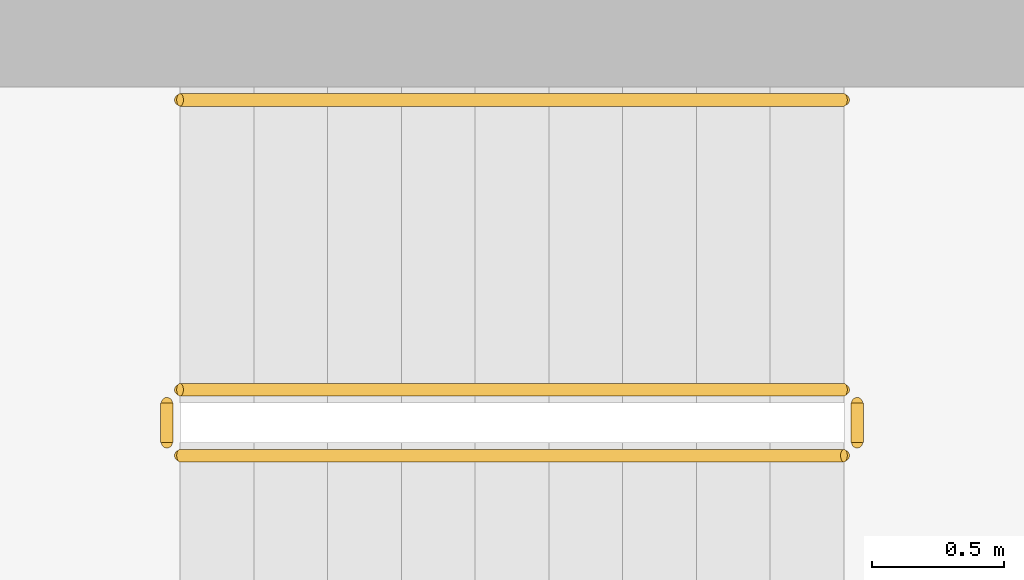
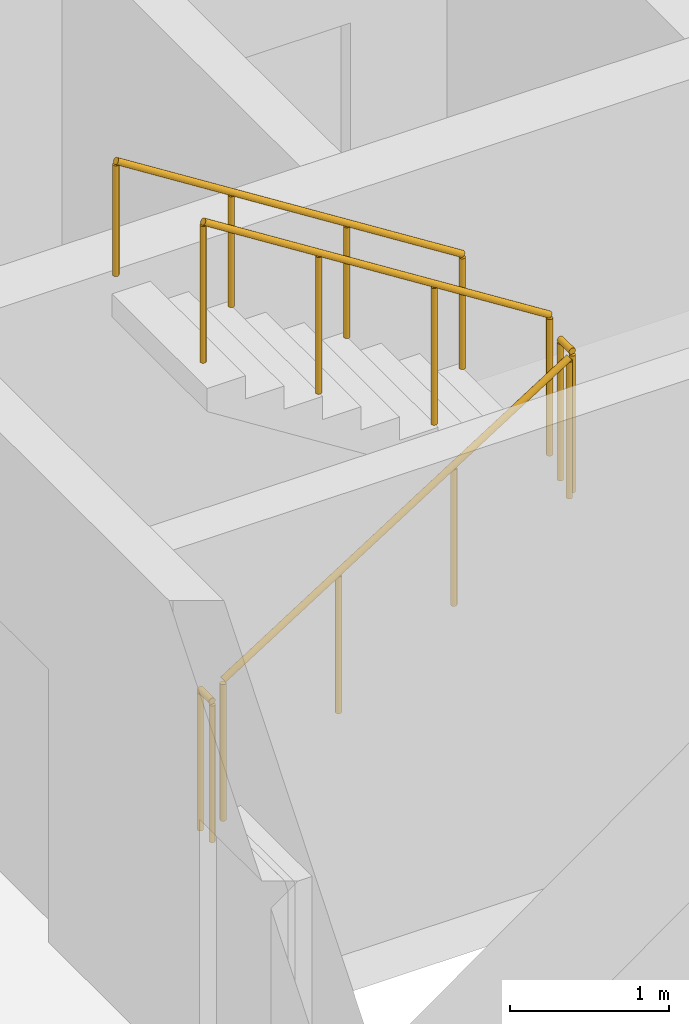
# One storey, part 12 of 14: 5 railings.
"""IFC4 building model written with IfcOpenShell, lengths in metres."""

from ifc_helpers import new_model, si_unit, direction, frame, origin, origin_2d, place, context, subcontext, project, spatial, circle, extrude, material, type_object, element, save


model = new_model("IFC4")

# Units and contexts
model_context = context("Model", 3, precision=1e-05, world=origin(), true_north=direction((0.0, 1.0)))
body_context = subcontext(model_context, "Body", "Model", "MODEL_VIEW")
ifc_project = project(units=[si_unit("LENGTHUNIT", "METRE"), si_unit("AREAUNIT", "SQUARE_METRE"), si_unit("VOLUMEUNIT", "CUBIC_METRE"), si_unit("PLANEANGLEUNIT", "RADIAN"), si_unit("MASSUNIT", "GRAM", prefix="KILO")], contexts=[model_context])

# Site, building, storey
site_placement = place(None, origin())
site = spatial("IfcSite", under=ifc_project, at=site_placement, CompositionType="ELEMENT")
building_placement = place(site_placement, origin())
building = spatial("IfcBuilding", under=site, at=building_placement, Name="Ostrand Prow Hotel Tower", CompositionType="ELEMENT")
storey_placement = place(building_placement, frame((0.0, 0.0, 275.0)))
storey = spatial("IfcBuildingStorey", under=building, at=storey_placement, Name="L69", CompositionType="ELEMENT", Elevation=275.0)

# Railings
ifc_material_1 = material(Name="Painted steel", Category="steel")
railing_type_1 = type_object("IfcRailingType", Name="Stair guard 1100", PredefinedType="GUARDRAIL", material=ifc_material_1)
railing_1_placement = place(storey_placement, frame((57.199951171875, -11.75, 0.177490234375)))
element("IfcRailing", 1, at=railing_1_placement, inside=storey, type_object=railing_type_1, Name="L69 ST2C stair guard 1", PredefinedType="GUARDRAIL", context=body_context, shape_type="SweptSolid", body=[
    extrude(circle(Radius=0.02392578125, at=origin_2d()), frame((0.0, 0.0, 1.076171875), z_axis=(0.84460694969, 0.0, 0.535386869969), x_axis=(0.0, 1.0, 0.0)), (0.0, 0.0, 1.0), 2.983642578125),
    extrude(circle(Radius=0.02099609375, at=origin_2d()), origin(), (0.0, 0.0, 1.0), 1.052001953125),
    extrude(circle(Radius=0.02099609375, at=origin_2d()), frame((0.840087890625, 0.0, 0.532470703125)), (0.0, 0.0, 1.0), 1.052001953125),
    extrude(circle(Radius=0.02099609375, at=origin_2d()), frame((1.679931640625, 0.0, 1.06494140625)), (0.0, 0.0, 1.0), 1.052001953125),
    extrude(circle(Radius=0.02099609375, at=origin_2d()), frame((2.52001953125, 0.0, 1.597412109375)), (0.0, 0.0, 1.0), 1.052001953125),
])
railing_2_placement = place(storey_placement, frame((59.77001953125, -11.699951171875, 1.77490234375)))
element("IfcRailing", 2, at=railing_2_placement, inside=storey, type_object=railing_type_1, Name="L69 ST2C stair guard 2", PredefinedType="GUARDRAIL", context=body_context, shape_type="SweptSolid", body=[
    extrude(circle(Radius=0.02392578125, at=origin_2d()), frame((0.0, 0.0, 1.076171875), z_axis=(0.0, 1.0, 0.0), x_axis=(-1.0, 0.0, 0.0)), (0.0, 0.0, 1.0), 0.14990234375),
    extrude(circle(Radius=0.02099609375, at=origin_2d()), origin(), (0.0, 0.0, 1.0), 1.052001953125),
    extrude(circle(Radius=0.02099609375, at=origin_2d()), frame((0.0, 0.14990234375, 0.0)), (0.0, 0.0, 1.0), 1.052001953125),
])
railing_3_placement = place(storey_placement, frame((59.719970703125, -11.5, 1.952392578125)))
element("IfcRailing", 3, at=railing_3_placement, inside=storey, type_object=railing_type_1, Name="L69 ST2C stair guard 3", PredefinedType="GUARDRAIL", context=body_context, shape_type="SweptSolid", body=[
    extrude(circle(Radius=0.02392578125, at=origin_2d()), frame((0.0, 0.0, 1.076171875), z_axis=(-0.84456994832, 0.0, 0.535445237532), x_axis=(0.0, -1.0, 0.0)), (0.0, 0.0, 1.0), 2.98388671875),
    extrude(circle(Radius=0.02099609375, at=origin_2d()), origin(), (0.0, 0.0, 1.0), 1.052001953125),
    extrude(circle(Radius=0.02099609375, at=origin_2d()), frame((-0.840087890625, 0.0, 0.532470703125)), (0.0, 0.0, 1.0), 1.052001953125),
    extrude(circle(Radius=0.02099609375, at=origin_2d()), frame((-1.679931640625, 0.0, 1.065185546875)), (0.0, 0.0, 1.0), 1.052001953125),
    extrude(circle(Radius=0.02099609375, at=origin_2d()), frame((-2.52001953125, 0.0, 1.59765625)), (0.0, 0.0, 1.0), 1.052001953125),
])
railing_4_placement = place(storey_placement, frame((57.14990234375, -11.699951171875, 0.0)))
element("IfcRailing", 4, at=railing_4_placement, inside=storey, type_object=railing_type_1, Name="L69 ST2C stair guard 4", PredefinedType="GUARDRAIL", context=body_context, shape_type="SweptSolid", body=[
    extrude(circle(Radius=0.02392578125, at=origin_2d()), frame((0.0, 0.0, 1.076171875), z_axis=(0.0, 1.0, 0.0), x_axis=(-1.0, 0.0, 0.0)), (0.0, 0.0, 1.0), 0.14990234375),
    extrude(circle(Radius=0.02099609375, at=origin_2d()), origin(), (0.0, 0.0, 1.0), 1.052001953125),
    extrude(circle(Radius=0.02099609375, at=origin_2d()), frame((0.0, 0.14990234375, 0.0)), (0.0, 0.0, 1.0), 1.052001953125),
])
ifc_material_2 = material(Name="Stainless steel", Category="steel")
railing_type_2 = type_object("IfcRailingType", Name="Stair handrail 900", PredefinedType="HANDRAIL", material=ifc_material_2)
railing_5_placement = place(storey_placement, frame((59.719970703125, -10.39990234375, 1.952392578125)))
element("IfcRailing", 5, at=railing_5_placement, inside=storey, type_object=railing_type_2, Name="L69 ST2C stair handrail 2", PredefinedType="HANDRAIL", context=body_context, shape_type="SweptSolid", body=[
    extrude(circle(Radius=0.02392578125, at=origin_2d()), frame((0.0, 0.0, 0.8759765625), z_axis=(-0.84456994832, 0.0, 0.535445237532), x_axis=(0.0, -1.0, 0.0)), (0.0, 0.0, 1.0), 2.98388671875),
    extrude(circle(Radius=0.02099609375, at=origin_2d()), origin(), (0.0, 0.0, 1.0), 0.851806640625),
    extrude(circle(Radius=0.02099609375, at=origin_2d()), frame((-0.840087890625, 0.0, 0.532470703125)), (0.0, 0.0, 1.0), 0.851806640625),
    extrude(circle(Radius=0.02099609375, at=origin_2d()), frame((-1.679931640625, 0.0, 1.065185546875)), (0.0, 0.0, 1.0), 0.851806640625),
    extrude(circle(Radius=0.02099609375, at=origin_2d()), frame((-2.52001953125, 0.0, 1.59765625)), (0.0, 0.0, 1.0), 0.851806640625),
])

save(model, "model.ifc")
